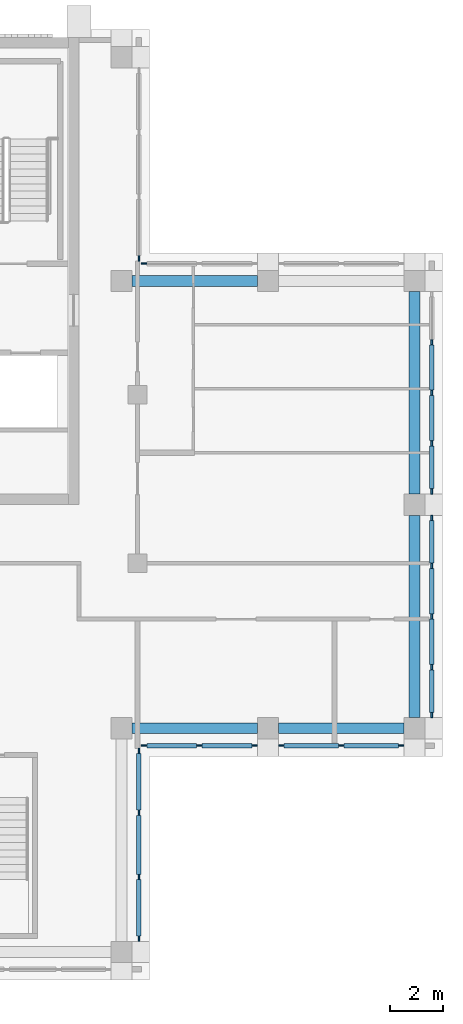
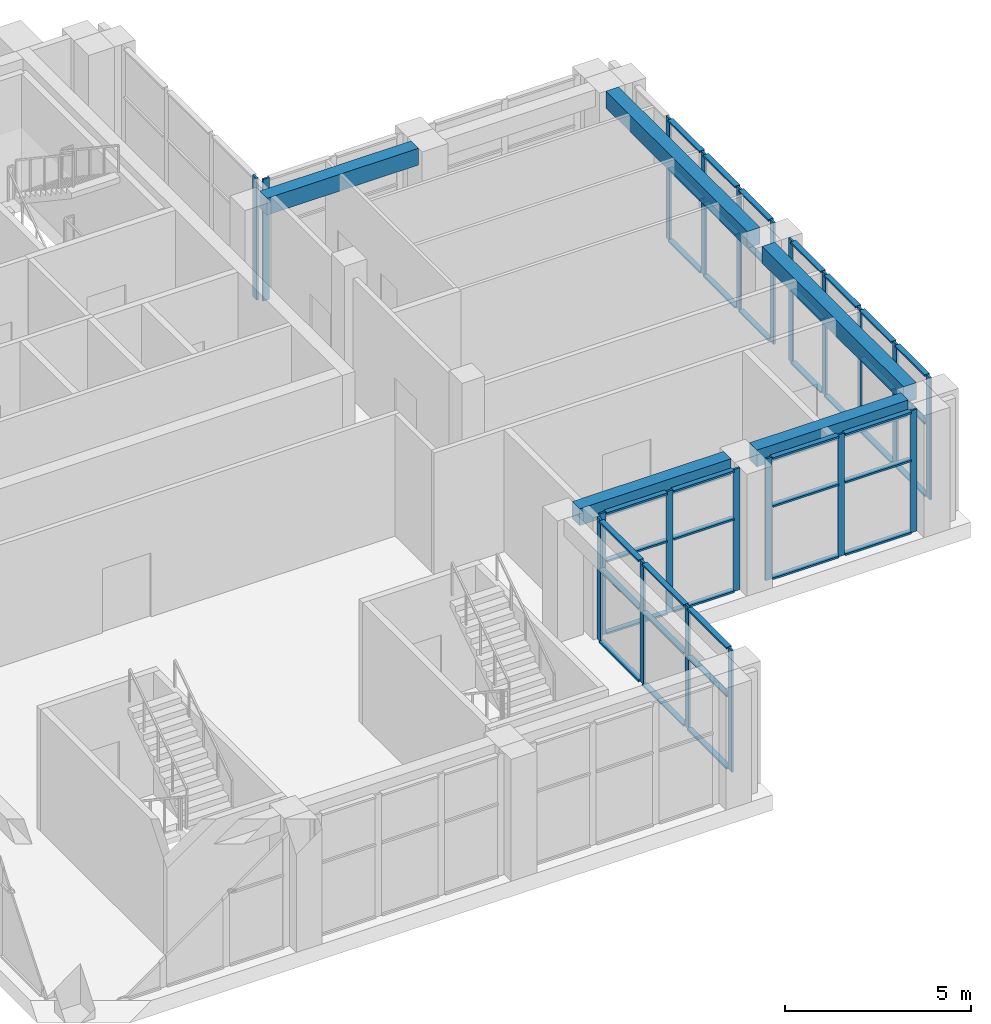
# One storey, part 5 of 14: 63 members, 5 beams, 7 elements without a shape of their own.
"""IFC4 building model written with IfcOpenShell, lengths in metres."""

from ifc_helpers import new_model, si_unit, direction, frame, origin, origin_2d, place, context, subcontext, project, spatial, rectangle, extrude, material, material_profile, profile_set, type_object, element, aggregate, save


model = new_model("IFC4")

# Units and contexts
model_context = context("Model", 3, precision=1e-05, world=origin(), true_north=direction((0.0, 1.0)))
body_context = subcontext(model_context, "Body", "Model", "MODEL_VIEW")
ifc_project = project(units=[si_unit("LENGTHUNIT", "METRE"), si_unit("AREAUNIT", "SQUARE_METRE"), si_unit("VOLUMEUNIT", "CUBIC_METRE"), si_unit("PLANEANGLEUNIT", "RADIAN"), si_unit("MASSUNIT", "GRAM", prefix="KILO")], contexts=[model_context])

# Site, building, storey
site_placement = place(None, origin())
site = spatial("IfcSite", under=ifc_project, at=site_placement, CompositionType="ELEMENT")
building_placement = place(site_placement, origin())
building = spatial("IfcBuilding", under=site, at=building_placement, Name="Vermilion Ogive Tower", CompositionType="ELEMENT")
storey_placement = place(building_placement, frame((0.0, 0.0, 273.85009765625)))
storey = spatial("IfcBuildingStorey", under=building, at=storey_placement, Name="L72", CompositionType="ELEMENT", Elevation=273.85009765625)

# Curtain wall, members
ifc_material_1 = material(Name="Laminated solar-control glazing in aluminium frame", Category="aluminium")
curtain_wall_type = type_object("IfcCurtainWallType", Name="Curtain wall CW4", PredefinedType="NOTDEFINED", material=ifc_material_1)
curtain_wall_1_placement = place(storey_placement, origin())
curtain_wall_1 = element("IfcCurtainWall", 1, at=curtain_wall_1_placement, inside=storey, type_object=curtain_wall_type, Name="CW4 glazing X11", PredefinedType="NOTDEFINED")
ifc_material_2 = material(Name="Aluminium mullion", Category="aluminium")
ifc_material_profile_1 = material_profile(ifc_material_2, rectangle(XDim=0.06005859375, YDim=0.199951171875, at=origin_2d()), Name="AL 60x200")
ifc_profile_set_1 = profile_set([ifc_material_profile_1], Name="Aluminium mullion")
member_type_1 = type_object("IfcMemberType", Name="CW4 mullion 60x200", PredefinedType="MULLION", material=ifc_profile_set_1)
member_1_placement = place(storey_placement, frame((10.64990234375, -12.10009765625, 0.0), z_axis=(0.0, 0.0, 1.0), x_axis=(-1.0, 0.0, 0.0)))
member_1 = element("IfcMember", 2, at=member_1_placement, type_object=member_type_1, Name="CW4-X11 mullion 1", PredefinedType="MULLION", context=body_context, shape_type="SweptSolid", body=[
    extrude(rectangle(XDim=0.06005859375, YDim=0.199951171875, at=origin_2d()), origin(), (0.0, 0.0, 1.0), 4.0),
])
member_2_placement = place(storey_placement, frame((10.64990234375, -9.783447265625, 0.0), z_axis=(0.0, 0.0, 1.0), x_axis=(-1.0, 0.0, 0.0)))
member_2 = element("IfcMember", 3, at=member_2_placement, type_object=member_type_1, Name="CW4-X11 mullion 2", PredefinedType="MULLION", context=body_context, shape_type="SweptSolid", body=[
    extrude(rectangle(XDim=0.06005859375, YDim=0.199951171875, at=origin_2d()), origin(), (0.0, 0.0, 1.0), 4.0),
])
member_3_placement = place(storey_placement, frame((10.64990234375, -7.36669921875, 0.0), z_axis=(0.0, 0.0, 1.0), x_axis=(-1.0, 0.0, 0.0)))
member_3 = element("IfcMember", 4, at=member_3_placement, type_object=member_type_1, Name="CW4-X11 mullion 3", PredefinedType="MULLION", context=body_context, shape_type="SweptSolid", body=[
    extrude(rectangle(XDim=0.06005859375, YDim=0.199951171875, at=origin_2d()), origin(), (0.0, 0.0, 1.0), 4.0),
])
member_4_placement = place(storey_placement, frame((10.64990234375, -5.050048828125, 0.0), z_axis=(0.0, 0.0, 1.0), x_axis=(-1.0, 0.0, 0.0)))
member_4 = element("IfcMember", 5, at=member_4_placement, type_object=member_type_1, Name="CW4-X11 mullion 4", PredefinedType="MULLION", context=body_context, shape_type="SweptSolid", body=[
    extrude(rectangle(XDim=0.06005859375, YDim=0.199951171875, at=origin_2d()), origin(), (0.0, 0.0, 1.0), 4.0),
])

curtain_wall_2_placement = place(storey_placement, origin())
curtain_wall_2 = element("IfcCurtainWall", 6, at=curtain_wall_2_placement, inside=storey, type_object=curtain_wall_type, Name="CW4 glazing X21", PredefinedType="NOTDEFINED")
member_5_placement = place(storey_placement, frame((10.85009765625, -4.85009765625, 0.0), z_axis=(0.0, 0.0, 1.0), x_axis=(0.0, 1.0, 0.0)))
member_5 = element("IfcMember", 7, at=member_5_placement, type_object=member_type_1, Name="CW4-X21 mullion 1", PredefinedType="MULLION", context=body_context, shape_type="SweptSolid", body=[
    extrude(rectangle(XDim=0.06005859375, YDim=0.199951171875, at=origin_2d()), origin(), (0.0, 0.0, 1.0), 4.0),
])
member_6_placement = place(storey_placement, frame((12.925048828125, -4.85009765625, 0.0), z_axis=(0.0, 0.0, 1.0), x_axis=(0.0, 1.0, 0.0)))
member_6 = element("IfcMember", 8, at=member_6_placement, type_object=member_type_1, Name="CW4-X21 mullion 2", PredefinedType="MULLION", context=body_context, shape_type="SweptSolid", body=[
    extrude(rectangle(XDim=0.06005859375, YDim=0.199951171875, at=origin_2d()), origin(), (0.0, 0.0, 1.0), 4.0),
])
member_7_placement = place(storey_placement, frame((15.0, -4.85009765625, 0.0), z_axis=(0.0, 0.0, 1.0), x_axis=(0.0, 1.0, 0.0)))
member_7 = element("IfcMember", 9, at=member_7_placement, type_object=member_type_1, Name="CW4-X21 mullion 3", PredefinedType="MULLION", context=body_context, shape_type="SweptSolid", body=[
    extrude(rectangle(XDim=0.06005859375, YDim=0.199951171875, at=origin_2d()), origin(), (0.0, 0.0, 1.0), 4.0),
])

curtain_wall_3_placement = place(storey_placement, origin())
curtain_wall_3 = element("IfcCurtainWall", 10, at=curtain_wall_3_placement, inside=storey, type_object=curtain_wall_type, Name="CW4 glazing X22", PredefinedType="NOTDEFINED")
member_8_placement = place(storey_placement, frame((16.0, -4.85009765625, 0.0), z_axis=(0.0, 0.0, 1.0), x_axis=(0.0, 1.0, 0.0)))
member_8 = element("IfcMember", 11, at=member_8_placement, type_object=member_type_1, Name="CW4-X22 mullion 1", PredefinedType="MULLION", context=body_context, shape_type="SweptSolid", body=[
    extrude(rectangle(XDim=0.06005859375, YDim=0.199951171875, at=origin_2d()), origin(), (0.0, 0.0, 1.0), 4.0),
])
member_9_placement = place(storey_placement, frame((18.25, -4.85009765625, 0.0), z_axis=(0.0, 0.0, 1.0), x_axis=(0.0, 1.0, 0.0)))
member_9 = element("IfcMember", 12, at=member_9_placement, type_object=member_type_1, Name="CW4-X22 mullion 2", PredefinedType="MULLION", context=body_context, shape_type="SweptSolid", body=[
    extrude(rectangle(XDim=0.06005859375, YDim=0.199951171875, at=origin_2d()), origin(), (0.0, 0.0, 1.0), 4.0),
])
member_10_placement = place(storey_placement, frame((20.5, -4.85009765625, 0.0), z_axis=(0.0, 0.0, 1.0), x_axis=(0.0, 1.0, 0.0)))
member_10 = element("IfcMember", 13, at=member_10_placement, type_object=member_type_1, Name="CW4-X22 mullion 3", PredefinedType="MULLION", context=body_context, shape_type="SweptSolid", body=[
    extrude(rectangle(XDim=0.06005859375, YDim=0.199951171875, at=origin_2d()), origin(), (0.0, 0.0, 1.0), 4.0),
])

curtain_wall_4_placement = place(storey_placement, origin())
curtain_wall_4 = element("IfcCurtainWall", 14, at=curtain_wall_4_placement, inside=storey, type_object=curtain_wall_type, Name="CW4 glazing E1", PredefinedType="NOTDEFINED")
member_11_placement = place(storey_placement, frame((21.64990234375, -3.699951171875, 0.0), z_axis=(0.0, 0.0, 1.0), x_axis=(-1.0, 0.0, 0.0)))
member_11 = element("IfcMember", 15, at=member_11_placement, type_object=member_type_1, Name="CW4-E1 mullion 1", PredefinedType="MULLION", context=body_context, shape_type="SweptSolid", body=[
    extrude(rectangle(XDim=0.06005859375, YDim=0.199951171875, at=origin_2d()), origin(), (0.0, 0.0, 1.0), 4.0),
])
member_12_placement = place(storey_placement, frame((21.64990234375, -1.89990234375, 0.0), z_axis=(0.0, 0.0, 1.0), x_axis=(-1.0, 0.0, 0.0)))
member_12 = element("IfcMember", 16, at=member_12_placement, type_object=member_type_1, Name="CW4-E1 mullion 2", PredefinedType="MULLION", context=body_context, shape_type="SweptSolid", body=[
    extrude(rectangle(XDim=0.06005859375, YDim=0.199951171875, at=origin_2d()), origin(), (0.0, 0.0, 1.0), 4.0),
])
member_13_placement = place(storey_placement, frame((21.64990234375, 0.0, 0.0), z_axis=(0.0, 0.0, 1.0), x_axis=(-1.0, 0.0, 0.0)))
member_13 = element("IfcMember", 17, at=member_13_placement, type_object=member_type_1, Name="CW4-E1 mullion 3", PredefinedType="MULLION", context=body_context, shape_type="SweptSolid", body=[
    extrude(rectangle(XDim=0.06005859375, YDim=0.199951171875, at=origin_2d()), origin(), (0.0, 0.0, 1.0), 4.0),
])
member_14_placement = place(storey_placement, frame((21.64990234375, 1.89990234375, 0.0), z_axis=(0.0, 0.0, 1.0), x_axis=(-1.0, 0.0, 0.0)))
member_14 = element("IfcMember", 18, at=member_14_placement, type_object=member_type_1, Name="CW4-E1 mullion 4", PredefinedType="MULLION", context=body_context, shape_type="SweptSolid", body=[
    extrude(rectangle(XDim=0.06005859375, YDim=0.199951171875, at=origin_2d()), origin(), (0.0, 0.0, 1.0), 4.0),
])
member_15_placement = place(storey_placement, frame((21.64990234375, 3.699951171875, 0.0), z_axis=(0.0, 0.0, 1.0), x_axis=(-1.0, 0.0, 0.0)))
member_15 = element("IfcMember", 19, at=member_15_placement, type_object=member_type_1, Name="CW4-E1 mullion 5", PredefinedType="MULLION", context=body_context, shape_type="SweptSolid", body=[
    extrude(rectangle(XDim=0.06005859375, YDim=0.199951171875, at=origin_2d()), origin(), (0.0, 0.0, 1.0), 4.0),
])

curtain_wall_5_placement = place(storey_placement, origin())
curtain_wall_5 = element("IfcCurtainWall", 20, at=curtain_wall_5_placement, inside=storey, type_object=curtain_wall_type, Name="CW4 glazing E2", PredefinedType="NOTDEFINED")
member_16_placement = place(storey_placement, frame((21.64990234375, 4.699951171875, 0.0), z_axis=(0.0, 0.0, 1.0), x_axis=(-1.0, 0.0, 0.0)))
member_16 = element("IfcMember", 21, at=member_16_placement, type_object=member_type_1, Name="CW4-E2 mullion 1", PredefinedType="MULLION", context=body_context, shape_type="SweptSolid", body=[
    extrude(rectangle(XDim=0.06005859375, YDim=0.199951171875, at=origin_2d()), origin(), (0.0, 0.0, 1.0), 4.0),
])
member_17_placement = place(storey_placement, frame((21.64990234375, 6.5, 0.0), z_axis=(0.0, 0.0, 1.0), x_axis=(-1.0, 0.0, 0.0)))
member_17 = element("IfcMember", 22, at=member_17_placement, type_object=member_type_1, Name="CW4-E2 mullion 2", PredefinedType="MULLION", context=body_context, shape_type="SweptSolid", body=[
    extrude(rectangle(XDim=0.06005859375, YDim=0.199951171875, at=origin_2d()), origin(), (0.0, 0.0, 1.0), 4.0),
])
member_18_placement = place(storey_placement, frame((21.64990234375, 8.39990234375, 0.0), z_axis=(0.0, 0.0, 1.0), x_axis=(-1.0, 0.0, 0.0)))
member_18 = element("IfcMember", 23, at=member_18_placement, type_object=member_type_1, Name="CW4-E2 mullion 3", PredefinedType="MULLION", context=body_context, shape_type="SweptSolid", body=[
    extrude(rectangle(XDim=0.06005859375, YDim=0.199951171875, at=origin_2d()), origin(), (0.0, 0.0, 1.0), 4.0),
])
member_19_placement = place(storey_placement, frame((21.64990234375, 10.300048828125, 0.0), z_axis=(0.0, 0.0, 1.0), x_axis=(-1.0, 0.0, 0.0)))
member_19 = element("IfcMember", 24, at=member_19_placement, type_object=member_type_1, Name="CW4-E2 mullion 4", PredefinedType="MULLION", context=body_context, shape_type="SweptSolid", body=[
    extrude(rectangle(XDim=0.06005859375, YDim=0.199951171875, at=origin_2d()), origin(), (0.0, 0.0, 1.0), 4.0),
])

# Curtain wall, member
curtain_wall_6_placement = place(storey_placement, origin())
curtain_wall_6 = element("IfcCurtainWall", 25, at=curtain_wall_6_placement, inside=storey, type_object=curtain_wall_type, Name="CW4 glazing X32", PredefinedType="NOTDEFINED")
member_20_placement = place(storey_placement, frame((10.85009765625, 13.25, 0.0), z_axis=(0.0, 0.0, 1.0), x_axis=(0.0, -1.0, 0.0)))
member_20 = element("IfcMember", 26, at=member_20_placement, type_object=member_type_1, Name="CW4-X32 mullion 3", PredefinedType="MULLION", context=body_context, shape_type="SweptSolid", body=[
    extrude(rectangle(XDim=0.06005859375, YDim=0.199951171875, at=origin_2d()), origin(), (0.0, 0.0, 1.0), 4.0),
])
aggregate(curtain_wall_6, [member_20])

curtain_wall_7_placement = place(storey_placement, origin())
curtain_wall_7 = element("IfcCurtainWall", 27, at=curtain_wall_7_placement, inside=storey, type_object=curtain_wall_type, Name="CW4 glazing X41", PredefinedType="NOTDEFINED")
member_21_placement = place(storey_placement, frame((10.64990234375, 13.449951171875, 0.0), z_axis=(0.0, 0.0, 1.0), x_axis=(-1.0, 0.0, 0.0)))
member_21 = element("IfcMember", 28, at=member_21_placement, type_object=member_type_1, Name="CW4-X41 mullion 1", PredefinedType="MULLION", context=body_context, shape_type="SweptSolid", body=[
    extrude(rectangle(XDim=0.06005859375, YDim=0.199951171875, at=origin_2d()), origin(), (0.0, 0.0, 1.0), 4.0),
])
aggregate(curtain_wall_7, [member_21])

# Member
ifc_material_3 = material(Name="Aluminium transom", Category="aluminium")
ifc_material_profile_2 = material_profile(ifc_material_3, rectangle(XDim=0.159912109375, YDim=0.06005859375, at=origin_2d()), Name="AL 60x160")
ifc_profile_set_2 = profile_set([ifc_material_profile_2], Name="Aluminium transom")
member_type_2 = type_object("IfcMemberType", Name="CW4 transom 60x160", PredefinedType="USERDEFINED", material=ifc_profile_set_2)
member_22_placement = place(storey_placement, frame((10.64990234375, -12.0, 0.02978515625), z_axis=(0.0, 1.0, 0.0), x_axis=(-1.0, 0.0, 0.0)))
member_22 = element("IfcMember", 29, at=member_22_placement, type_object=member_type_2, Name="CW4-X11 transom 1.1", ObjectType="TRANSOM", PredefinedType="USERDEFINED", context=body_context, shape_type="SweptSolid", body=[
    extrude(rectangle(XDim=0.159912109375, YDim=0.06005859375, at=origin_2d()), origin(), (0.0, 0.0, 1.0), 2.11669921875),
])

member_23_placement = place(storey_placement, frame((10.64990234375, -12.0, 2.39990234375), z_axis=(0.0, 1.0, 0.0), x_axis=(-1.0, 0.0, 0.0)))
member_23 = element("IfcMember", 30, at=member_23_placement, type_object=member_type_2, Name="CW4-X11 transom 1.2", ObjectType="TRANSOM", PredefinedType="USERDEFINED", context=body_context, shape_type="SweptSolid", body=[
    extrude(rectangle(XDim=0.159912109375, YDim=0.06005859375, at=origin_2d()), origin(), (0.0, 0.0, 1.0), 2.11669921875),
])

member_24_placement = place(storey_placement, frame((10.64990234375, -12.0, 3.969970703125), z_axis=(0.0, 1.0, 0.0), x_axis=(-1.0, 0.0, 0.0)))
member_24 = element("IfcMember", 31, at=member_24_placement, type_object=member_type_2, Name="CW4-X11 transom 1.3", ObjectType="TRANSOM", PredefinedType="USERDEFINED", context=body_context, shape_type="SweptSolid", body=[
    extrude(rectangle(XDim=0.159912109375, YDim=0.06005859375, at=origin_2d()), origin(), (0.0, 0.0, 1.0), 2.11669921875),
])

member_25_placement = place(storey_placement, frame((10.64990234375, -9.683349609375, 0.02978515625), z_axis=(0.0, 1.0, 0.0), x_axis=(-1.0, 0.0, 0.0)))
member_25 = element("IfcMember", 32, at=member_25_placement, type_object=member_type_2, Name="CW4-X11 transom 2.1", ObjectType="TRANSOM", PredefinedType="USERDEFINED", context=body_context, shape_type="SweptSolid", body=[
    extrude(rectangle(XDim=0.159912109375, YDim=0.06005859375, at=origin_2d()), origin(), (0.0, 0.0, 1.0), 2.216796875),
])

member_26_placement = place(storey_placement, frame((10.64990234375, -9.683349609375, 2.39990234375), z_axis=(0.0, 1.0, 0.0), x_axis=(-1.0, 0.0, 0.0)))
member_26 = element("IfcMember", 33, at=member_26_placement, type_object=member_type_2, Name="CW4-X11 transom 2.2", ObjectType="TRANSOM", PredefinedType="USERDEFINED", context=body_context, shape_type="SweptSolid", body=[
    extrude(rectangle(XDim=0.159912109375, YDim=0.06005859375, at=origin_2d()), origin(), (0.0, 0.0, 1.0), 2.216796875),
])

member_27_placement = place(storey_placement, frame((10.64990234375, -9.683349609375, 3.969970703125), z_axis=(0.0, 1.0, 0.0), x_axis=(-1.0, 0.0, 0.0)))
member_27 = element("IfcMember", 34, at=member_27_placement, type_object=member_type_2, Name="CW4-X11 transom 2.3", ObjectType="TRANSOM", PredefinedType="USERDEFINED", context=body_context, shape_type="SweptSolid", body=[
    extrude(rectangle(XDim=0.159912109375, YDim=0.06005859375, at=origin_2d()), origin(), (0.0, 0.0, 1.0), 2.216796875),
])

member_28_placement = place(storey_placement, frame((10.64990234375, -7.2666015625, 0.02978515625), z_axis=(0.0, 1.0, 0.0), x_axis=(-1.0, 0.0, 0.0)))
member_28 = element("IfcMember", 35, at=member_28_placement, type_object=member_type_2, Name="CW4-X11 transom 3.1", ObjectType="TRANSOM", PredefinedType="USERDEFINED", context=body_context, shape_type="SweptSolid", body=[
    extrude(rectangle(XDim=0.159912109375, YDim=0.06005859375, at=origin_2d()), origin(), (0.0, 0.0, 1.0), 2.11669921875),
])

member_29_placement = place(storey_placement, frame((10.64990234375, -7.2666015625, 2.39990234375), z_axis=(0.0, 1.0, 0.0), x_axis=(-1.0, 0.0, 0.0)))
member_29 = element("IfcMember", 36, at=member_29_placement, type_object=member_type_2, Name="CW4-X11 transom 3.2", ObjectType="TRANSOM", PredefinedType="USERDEFINED", context=body_context, shape_type="SweptSolid", body=[
    extrude(rectangle(XDim=0.159912109375, YDim=0.06005859375, at=origin_2d()), origin(), (0.0, 0.0, 1.0), 2.11669921875),
])

member_30_placement = place(storey_placement, frame((10.64990234375, -7.2666015625, 3.969970703125), z_axis=(0.0, 1.0, 0.0), x_axis=(-1.0, 0.0, 0.0)))
member_30 = element("IfcMember", 37, at=member_30_placement, type_object=member_type_2, Name="CW4-X11 transom 3.3", ObjectType="TRANSOM", PredefinedType="USERDEFINED", context=body_context, shape_type="SweptSolid", body=[
    extrude(rectangle(XDim=0.159912109375, YDim=0.06005859375, at=origin_2d()), origin(), (0.0, 0.0, 1.0), 2.11669921875),
])

aggregate(curtain_wall_1, [member_1, member_2, member_3, member_4, member_22, member_23, member_24, member_25, member_26, member_27, member_28, member_29, member_30])

member_31_placement = place(storey_placement, frame((10.949951171875, -4.85009765625, 0.02978515625), z_axis=(1.0, 0.0, 0.0), x_axis=(0.0, 1.0, 0.0)))
member_31 = element("IfcMember", 38, at=member_31_placement, type_object=member_type_2, Name="CW4-X21 transom 1.1", ObjectType="TRANSOM", PredefinedType="USERDEFINED", context=body_context, shape_type="SweptSolid", body=[
    extrude(rectangle(XDim=0.159912109375, YDim=0.06005859375, at=origin_2d()), origin(), (0.0, 0.0, 1.0), 1.875),
])

member_32_placement = place(storey_placement, frame((10.949951171875, -4.85009765625, 2.39990234375), z_axis=(1.0, 0.0, 0.0), x_axis=(0.0, 1.0, 0.0)))
member_32 = element("IfcMember", 39, at=member_32_placement, type_object=member_type_2, Name="CW4-X21 transom 1.2", ObjectType="TRANSOM", PredefinedType="USERDEFINED", context=body_context, shape_type="SweptSolid", body=[
    extrude(rectangle(XDim=0.159912109375, YDim=0.06005859375, at=origin_2d()), origin(), (0.0, 0.0, 1.0), 1.875),
])

member_33_placement = place(storey_placement, frame((10.949951171875, -4.85009765625, 3.969970703125), z_axis=(1.0, 0.0, 0.0), x_axis=(0.0, 1.0, 0.0)))
member_33 = element("IfcMember", 40, at=member_33_placement, type_object=member_type_2, Name="CW4-X21 transom 1.3", ObjectType="TRANSOM", PredefinedType="USERDEFINED", context=body_context, shape_type="SweptSolid", body=[
    extrude(rectangle(XDim=0.159912109375, YDim=0.06005859375, at=origin_2d()), origin(), (0.0, 0.0, 1.0), 1.875),
])

member_34_placement = place(storey_placement, frame((13.02490234375, -4.85009765625, 0.02978515625), z_axis=(1.0, 0.0, 0.0), x_axis=(0.0, 1.0, 0.0)))
member_34 = element("IfcMember", 41, at=member_34_placement, type_object=member_type_2, Name="CW4-X21 transom 2.1", ObjectType="TRANSOM", PredefinedType="USERDEFINED", context=body_context, shape_type="SweptSolid", body=[
    extrude(rectangle(XDim=0.159912109375, YDim=0.06005859375, at=origin_2d()), origin(), (0.0, 0.0, 1.0), 1.875),
])

member_35_placement = place(storey_placement, frame((13.02490234375, -4.85009765625, 2.39990234375), z_axis=(1.0, 0.0, 0.0), x_axis=(0.0, 1.0, 0.0)))
member_35 = element("IfcMember", 42, at=member_35_placement, type_object=member_type_2, Name="CW4-X21 transom 2.2", ObjectType="TRANSOM", PredefinedType="USERDEFINED", context=body_context, shape_type="SweptSolid", body=[
    extrude(rectangle(XDim=0.159912109375, YDim=0.06005859375, at=origin_2d()), origin(), (0.0, 0.0, 1.0), 1.875),
])

member_36_placement = place(storey_placement, frame((13.02490234375, -4.85009765625, 3.969970703125), z_axis=(1.0, 0.0, 0.0), x_axis=(0.0, 1.0, 0.0)))
member_36 = element("IfcMember", 43, at=member_36_placement, type_object=member_type_2, Name="CW4-X21 transom 2.3", ObjectType="TRANSOM", PredefinedType="USERDEFINED", context=body_context, shape_type="SweptSolid", body=[
    extrude(rectangle(XDim=0.159912109375, YDim=0.06005859375, at=origin_2d()), origin(), (0.0, 0.0, 1.0), 1.875),
])

aggregate(curtain_wall_2, [member_5, member_6, member_7, member_31, member_32, member_33, member_34, member_35, member_36])

member_37_placement = place(storey_placement, frame((16.10009765625, -4.85009765625, 0.02978515625), z_axis=(1.0, 0.0, 0.0), x_axis=(0.0, 1.0, 0.0)))
member_37 = element("IfcMember", 44, at=member_37_placement, type_object=member_type_2, Name="CW4-X22 transom 1.1", ObjectType="TRANSOM", PredefinedType="USERDEFINED", context=body_context, shape_type="SweptSolid", body=[
    extrude(rectangle(XDim=0.159912109375, YDim=0.06005859375, at=origin_2d()), origin(), (0.0, 0.0, 1.0), 2.0498046875),
])

member_38_placement = place(storey_placement, frame((16.10009765625, -4.85009765625, 2.39990234375), z_axis=(1.0, 0.0, 0.0), x_axis=(0.0, 1.0, 0.0)))
member_38 = element("IfcMember", 45, at=member_38_placement, type_object=member_type_2, Name="CW4-X22 transom 1.2", ObjectType="TRANSOM", PredefinedType="USERDEFINED", context=body_context, shape_type="SweptSolid", body=[
    extrude(rectangle(XDim=0.159912109375, YDim=0.06005859375, at=origin_2d()), origin(), (0.0, 0.0, 1.0), 2.0498046875),
])

member_39_placement = place(storey_placement, frame((16.10009765625, -4.85009765625, 3.969970703125), z_axis=(1.0, 0.0, 0.0), x_axis=(0.0, 1.0, 0.0)))
member_39 = element("IfcMember", 46, at=member_39_placement, type_object=member_type_2, Name="CW4-X22 transom 1.3", ObjectType="TRANSOM", PredefinedType="USERDEFINED", context=body_context, shape_type="SweptSolid", body=[
    extrude(rectangle(XDim=0.159912109375, YDim=0.06005859375, at=origin_2d()), origin(), (0.0, 0.0, 1.0), 2.0498046875),
])

member_40_placement = place(storey_placement, frame((18.35009765625, -4.85009765625, 0.02978515625), z_axis=(1.0, 0.0, 0.0), x_axis=(0.0, 1.0, 0.0)))
member_40 = element("IfcMember", 47, at=member_40_placement, type_object=member_type_2, Name="CW4-X22 transom 2.1", ObjectType="TRANSOM", PredefinedType="USERDEFINED", context=body_context, shape_type="SweptSolid", body=[
    extrude(rectangle(XDim=0.159912109375, YDim=0.06005859375, at=origin_2d()), origin(), (0.0, 0.0, 1.0), 2.0498046875),
])

member_41_placement = place(storey_placement, frame((18.35009765625, -4.85009765625, 2.39990234375), z_axis=(1.0, 0.0, 0.0), x_axis=(0.0, 1.0, 0.0)))
member_41 = element("IfcMember", 48, at=member_41_placement, type_object=member_type_2, Name="CW4-X22 transom 2.2", ObjectType="TRANSOM", PredefinedType="USERDEFINED", context=body_context, shape_type="SweptSolid", body=[
    extrude(rectangle(XDim=0.159912109375, YDim=0.06005859375, at=origin_2d()), origin(), (0.0, 0.0, 1.0), 2.0498046875),
])

member_42_placement = place(storey_placement, frame((18.35009765625, -4.85009765625, 3.969970703125), z_axis=(1.0, 0.0, 0.0), x_axis=(0.0, 1.0, 0.0)))
member_42 = element("IfcMember", 49, at=member_42_placement, type_object=member_type_2, Name="CW4-X22 transom 2.3", ObjectType="TRANSOM", PredefinedType="USERDEFINED", context=body_context, shape_type="SweptSolid", body=[
    extrude(rectangle(XDim=0.159912109375, YDim=0.06005859375, at=origin_2d()), origin(), (0.0, 0.0, 1.0), 2.0498046875),
])

aggregate(curtain_wall_3, [member_8, member_9, member_10, member_37, member_38, member_39, member_40, member_41, member_42])

member_43_placement = place(storey_placement, frame((21.64990234375, -3.60009765625, 0.02978515625), z_axis=(0.0, 1.0, 0.0), x_axis=(-1.0, 0.0, 0.0)))
member_43 = element("IfcMember", 50, at=member_43_placement, type_object=member_type_2, Name="CW4-E1 transom 1.1", ObjectType="TRANSOM", PredefinedType="USERDEFINED", context=body_context, shape_type="SweptSolid", body=[
    extrude(rectangle(XDim=0.159912109375, YDim=0.06005859375, at=origin_2d()), origin(), (0.0, 0.0, 1.0), 1.60009765625),
])

member_44_placement = place(storey_placement, frame((21.64990234375, -3.60009765625, 2.39990234375), z_axis=(0.0, 1.0, 0.0), x_axis=(-1.0, 0.0, 0.0)))
member_44 = element("IfcMember", 51, at=member_44_placement, type_object=member_type_2, Name="CW4-E1 transom 1.2", ObjectType="TRANSOM", PredefinedType="USERDEFINED", context=body_context, shape_type="SweptSolid", body=[
    extrude(rectangle(XDim=0.159912109375, YDim=0.06005859375, at=origin_2d()), origin(), (0.0, 0.0, 1.0), 1.60009765625),
])

member_45_placement = place(storey_placement, frame((21.64990234375, -3.60009765625, 3.969970703125), z_axis=(0.0, 1.0, 0.0), x_axis=(-1.0, 0.0, 0.0)))
member_45 = element("IfcMember", 52, at=member_45_placement, type_object=member_type_2, Name="CW4-E1 transom 1.3", ObjectType="TRANSOM", PredefinedType="USERDEFINED", context=body_context, shape_type="SweptSolid", body=[
    extrude(rectangle(XDim=0.159912109375, YDim=0.06005859375, at=origin_2d()), origin(), (0.0, 0.0, 1.0), 1.60009765625),
])

member_46_placement = place(storey_placement, frame((21.64990234375, -1.800048828125, 0.02978515625), z_axis=(0.0, 1.0, 0.0), x_axis=(-1.0, 0.0, 0.0)))
member_46 = element("IfcMember", 53, at=member_46_placement, type_object=member_type_2, Name="CW4-E1 transom 2.1", ObjectType="TRANSOM", PredefinedType="USERDEFINED", context=body_context, shape_type="SweptSolid", body=[
    extrude(rectangle(XDim=0.159912109375, YDim=0.06005859375, at=origin_2d()), origin(), (0.0, 0.0, 1.0), 1.699951171875),
])

member_47_placement = place(storey_placement, frame((21.64990234375, -1.800048828125, 2.39990234375), z_axis=(0.0, 1.0, 0.0), x_axis=(-1.0, 0.0, 0.0)))
member_47 = element("IfcMember", 54, at=member_47_placement, type_object=member_type_2, Name="CW4-E1 transom 2.2", ObjectType="TRANSOM", PredefinedType="USERDEFINED", context=body_context, shape_type="SweptSolid", body=[
    extrude(rectangle(XDim=0.159912109375, YDim=0.06005859375, at=origin_2d()), origin(), (0.0, 0.0, 1.0), 1.699951171875),
])

member_48_placement = place(storey_placement, frame((21.64990234375, -1.800048828125, 3.969970703125), z_axis=(0.0, 1.0, 0.0), x_axis=(-1.0, 0.0, 0.0)))
member_48 = element("IfcMember", 55, at=member_48_placement, type_object=member_type_2, Name="CW4-E1 transom 2.3", ObjectType="TRANSOM", PredefinedType="USERDEFINED", context=body_context, shape_type="SweptSolid", body=[
    extrude(rectangle(XDim=0.159912109375, YDim=0.06005859375, at=origin_2d()), origin(), (0.0, 0.0, 1.0), 1.699951171875),
])

member_49_placement = place(storey_placement, frame((21.64990234375, 0.10009765625, 0.02978515625), z_axis=(0.0, 1.0, 0.0), x_axis=(-1.0, 0.0, 0.0)))
member_49 = element("IfcMember", 56, at=member_49_placement, type_object=member_type_2, Name="CW4-E1 transom 3.1", ObjectType="TRANSOM", PredefinedType="USERDEFINED", context=body_context, shape_type="SweptSolid", body=[
    extrude(rectangle(XDim=0.159912109375, YDim=0.06005859375, at=origin_2d()), origin(), (0.0, 0.0, 1.0), 1.699951171875),
])

member_50_placement = place(storey_placement, frame((21.64990234375, 0.10009765625, 2.39990234375), z_axis=(0.0, 1.0, 0.0), x_axis=(-1.0, 0.0, 0.0)))
member_50 = element("IfcMember", 57, at=member_50_placement, type_object=member_type_2, Name="CW4-E1 transom 3.2", ObjectType="TRANSOM", PredefinedType="USERDEFINED", context=body_context, shape_type="SweptSolid", body=[
    extrude(rectangle(XDim=0.159912109375, YDim=0.06005859375, at=origin_2d()), origin(), (0.0, 0.0, 1.0), 1.699951171875),
])

member_51_placement = place(storey_placement, frame((21.64990234375, 0.10009765625, 3.969970703125), z_axis=(0.0, 1.0, 0.0), x_axis=(-1.0, 0.0, 0.0)))
member_51 = element("IfcMember", 58, at=member_51_placement, type_object=member_type_2, Name="CW4-E1 transom 3.3", ObjectType="TRANSOM", PredefinedType="USERDEFINED", context=body_context, shape_type="SweptSolid", body=[
    extrude(rectangle(XDim=0.159912109375, YDim=0.06005859375, at=origin_2d()), origin(), (0.0, 0.0, 1.0), 1.699951171875),
])

member_52_placement = place(storey_placement, frame((21.64990234375, 2.0, 0.02978515625), z_axis=(0.0, 1.0, 0.0), x_axis=(-1.0, 0.0, 0.0)))
member_52 = element("IfcMember", 59, at=member_52_placement, type_object=member_type_2, Name="CW4-E1 transom 4.1", ObjectType="TRANSOM", PredefinedType="USERDEFINED", context=body_context, shape_type="SweptSolid", body=[
    extrude(rectangle(XDim=0.159912109375, YDim=0.06005859375, at=origin_2d()), origin(), (0.0, 0.0, 1.0), 1.60009765625),
])

member_53_placement = place(storey_placement, frame((21.64990234375, 2.0, 2.39990234375), z_axis=(0.0, 1.0, 0.0), x_axis=(-1.0, 0.0, 0.0)))
member_53 = element("IfcMember", 60, at=member_53_placement, type_object=member_type_2, Name="CW4-E1 transom 4.2", ObjectType="TRANSOM", PredefinedType="USERDEFINED", context=body_context, shape_type="SweptSolid", body=[
    extrude(rectangle(XDim=0.159912109375, YDim=0.06005859375, at=origin_2d()), origin(), (0.0, 0.0, 1.0), 1.60009765625),
])

member_54_placement = place(storey_placement, frame((21.64990234375, 2.0, 3.969970703125), z_axis=(0.0, 1.0, 0.0), x_axis=(-1.0, 0.0, 0.0)))
member_54 = element("IfcMember", 61, at=member_54_placement, type_object=member_type_2, Name="CW4-E1 transom 4.3", ObjectType="TRANSOM", PredefinedType="USERDEFINED", context=body_context, shape_type="SweptSolid", body=[
    extrude(rectangle(XDim=0.159912109375, YDim=0.06005859375, at=origin_2d()), origin(), (0.0, 0.0, 1.0), 1.60009765625),
])

aggregate(curtain_wall_4, [member_11, member_12, member_13, member_14, member_15, member_43, member_44, member_45, member_46, member_47, member_48, member_49, member_50, member_51, member_52, member_53, member_54])

member_55_placement = place(storey_placement, frame((21.64990234375, 4.800048828125, 0.02978515625), z_axis=(0.0, 1.0, 0.0), x_axis=(-1.0, 0.0, 0.0)))
member_55 = element("IfcMember", 62, at=member_55_placement, type_object=member_type_2, Name="CW4-E2 transom 1.1", ObjectType="TRANSOM", PredefinedType="USERDEFINED", context=body_context, shape_type="SweptSolid", body=[
    extrude(rectangle(XDim=0.159912109375, YDim=0.06005859375, at=origin_2d()), origin(), (0.0, 0.0, 1.0), 1.599853515625),
])

member_56_placement = place(storey_placement, frame((21.64990234375, 4.800048828125, 2.39990234375), z_axis=(0.0, 1.0, 0.0), x_axis=(-1.0, 0.0, 0.0)))
member_56 = element("IfcMember", 63, at=member_56_placement, type_object=member_type_2, Name="CW4-E2 transom 1.2", ObjectType="TRANSOM", PredefinedType="USERDEFINED", context=body_context, shape_type="SweptSolid", body=[
    extrude(rectangle(XDim=0.159912109375, YDim=0.06005859375, at=origin_2d()), origin(), (0.0, 0.0, 1.0), 1.599853515625),
])

member_57_placement = place(storey_placement, frame((21.64990234375, 4.800048828125, 3.969970703125), z_axis=(0.0, 1.0, 0.0), x_axis=(-1.0, 0.0, 0.0)))
member_57 = element("IfcMember", 64, at=member_57_placement, type_object=member_type_2, Name="CW4-E2 transom 1.3", ObjectType="TRANSOM", PredefinedType="USERDEFINED", context=body_context, shape_type="SweptSolid", body=[
    extrude(rectangle(XDim=0.159912109375, YDim=0.06005859375, at=origin_2d()), origin(), (0.0, 0.0, 1.0), 1.599853515625),
])

member_58_placement = place(storey_placement, frame((21.64990234375, 6.60009765625, 0.02978515625), z_axis=(0.0, 1.0, 0.0), x_axis=(-1.0, 0.0, 0.0)))
member_58 = element("IfcMember", 65, at=member_58_placement, type_object=member_type_2, Name="CW4-E2 transom 2.1", ObjectType="TRANSOM", PredefinedType="USERDEFINED", context=body_context, shape_type="SweptSolid", body=[
    extrude(rectangle(XDim=0.159912109375, YDim=0.06005859375, at=origin_2d()), origin(), (0.0, 0.0, 1.0), 1.699951171875),
])

member_59_placement = place(storey_placement, frame((21.64990234375, 6.60009765625, 2.39990234375), z_axis=(0.0, 1.0, 0.0), x_axis=(-1.0, 0.0, 0.0)))
member_59 = element("IfcMember", 66, at=member_59_placement, type_object=member_type_2, Name="CW4-E2 transom 2.2", ObjectType="TRANSOM", PredefinedType="USERDEFINED", context=body_context, shape_type="SweptSolid", body=[
    extrude(rectangle(XDim=0.159912109375, YDim=0.06005859375, at=origin_2d()), origin(), (0.0, 0.0, 1.0), 1.699951171875),
])

member_60_placement = place(storey_placement, frame((21.64990234375, 6.60009765625, 3.969970703125), z_axis=(0.0, 1.0, 0.0), x_axis=(-1.0, 0.0, 0.0)))
member_60 = element("IfcMember", 67, at=member_60_placement, type_object=member_type_2, Name="CW4-E2 transom 2.3", ObjectType="TRANSOM", PredefinedType="USERDEFINED", context=body_context, shape_type="SweptSolid", body=[
    extrude(rectangle(XDim=0.159912109375, YDim=0.06005859375, at=origin_2d()), origin(), (0.0, 0.0, 1.0), 1.699951171875),
])

member_61_placement = place(storey_placement, frame((21.64990234375, 8.5, 0.02978515625), z_axis=(0.0, 1.0, 0.0), x_axis=(-1.0, 0.0, 0.0)))
member_61 = element("IfcMember", 68, at=member_61_placement, type_object=member_type_2, Name="CW4-E2 transom 3.1", ObjectType="TRANSOM", PredefinedType="USERDEFINED", context=body_context, shape_type="SweptSolid", body=[
    extrude(rectangle(XDim=0.159912109375, YDim=0.06005859375, at=origin_2d()), origin(), (0.0, 0.0, 1.0), 1.699951171875),
])

member_62_placement = place(storey_placement, frame((21.64990234375, 8.5, 2.39990234375), z_axis=(0.0, 1.0, 0.0), x_axis=(-1.0, 0.0, 0.0)))
member_62 = element("IfcMember", 69, at=member_62_placement, type_object=member_type_2, Name="CW4-E2 transom 3.2", ObjectType="TRANSOM", PredefinedType="USERDEFINED", context=body_context, shape_type="SweptSolid", body=[
    extrude(rectangle(XDim=0.159912109375, YDim=0.06005859375, at=origin_2d()), origin(), (0.0, 0.0, 1.0), 1.699951171875),
])

member_63_placement = place(storey_placement, frame((21.64990234375, 8.5, 3.969970703125), z_axis=(0.0, 1.0, 0.0), x_axis=(-1.0, 0.0, 0.0)))
member_63 = element("IfcMember", 70, at=member_63_placement, type_object=member_type_2, Name="CW4-E2 transom 3.3", ObjectType="TRANSOM", PredefinedType="USERDEFINED", context=body_context, shape_type="SweptSolid", body=[
    extrude(rectangle(XDim=0.159912109375, YDim=0.06005859375, at=origin_2d()), origin(), (0.0, 0.0, 1.0), 1.699951171875),
])

aggregate(curtain_wall_5, [member_16, member_17, member_18, member_19, member_55, member_56, member_57, member_58, member_59, member_60, member_61, member_62, member_63])

# Beams
ifc_material_4 = material(Name="Concrete B45", Category="concrete")
ifc_material_profile_3 = material_profile(ifc_material_4, rectangle(XDim=0.39990234375, YDim=0.550048828125, at=origin_2d()), Name="400 x 550")
ifc_profile_set_3 = profile_set([ifc_material_profile_3], Name="Concrete B45")
beam_type = type_object("IfcBeamType", Name="Edge beam 400 x 550 B45", PredefinedType="BEAM", material=ifc_profile_set_3)
for number, where, z_axis, x_axis, name in (
    (71, (10.39990234375, -4.199951171875, 3.724853515625), (1.0, 0.0, 0.0), (0.0, 1.0, 0.0), "L72-EB-5"),
    (72, (15.89990234375, -4.199951171875, 3.724853515625), (1.0, 0.0, 0.0), (0.0, 1.0, 0.0), "L72-EB-6"),
):
    element("IfcBeam", number, at=place(storey_placement, frame(where, z_axis=z_axis, x_axis=x_axis)), inside=storey, type_object=beam_type, Name=name, PredefinedType="BEAM", context=body_context, shape_type="SweptSolid", body=[
        extrude(rectangle(XDim=0.39990234375, YDim=0.550048828125, at=origin_2d()), origin(), (0.0, 0.0, 1.0), 4.7001953125),
    ])
beam_1_placement = place(storey_placement, frame((21.0, -3.800048828125, 3.724853515625), z_axis=(0.0, 1.0, 0.0), x_axis=(-1.0, 0.0, 0.0)))
element("IfcBeam", 73, at=beam_1_placement, inside=storey, type_object=beam_type, Name="L72-EB-7", PredefinedType="BEAM", context=body_context, shape_type="SweptSolid", body=[
    extrude(rectangle(XDim=0.39990234375, YDim=0.550048828125, at=origin_2d()), origin(), (0.0, 0.0, 1.0), 7.60009765625),
])
beam_2_placement = place(storey_placement, frame((21.0, 4.60009765625, 3.724853515625), z_axis=(0.0, 1.0, 0.0), x_axis=(-1.0, 0.0, 0.0)))
element("IfcBeam", 74, at=beam_2_placement, inside=storey, type_object=beam_type, Name="L72-EB-8", PredefinedType="BEAM", context=body_context, shape_type="SweptSolid", body=[
    extrude(rectangle(XDim=0.39990234375, YDim=0.550048828125, at=origin_2d()), origin(), (0.0, 0.0, 1.0), 7.599853515625),
])
beam_3_placement = place(storey_placement, frame((15.10009765625, 12.60009765625, 3.724853515625), z_axis=(-1.0, 0.0, 0.0), x_axis=(0.0, -1.0, 0.0)))
element("IfcBeam", 75, at=beam_3_placement, inside=storey, type_object=beam_type, Name="L72-EB-10", PredefinedType="BEAM", context=body_context, shape_type="SweptSolid", body=[
    extrude(rectangle(XDim=0.39990234375, YDim=0.550048828125, at=origin_2d()), origin(), (0.0, 0.0, 1.0), 4.7001953125),
])

save(model, "model.ifc")
